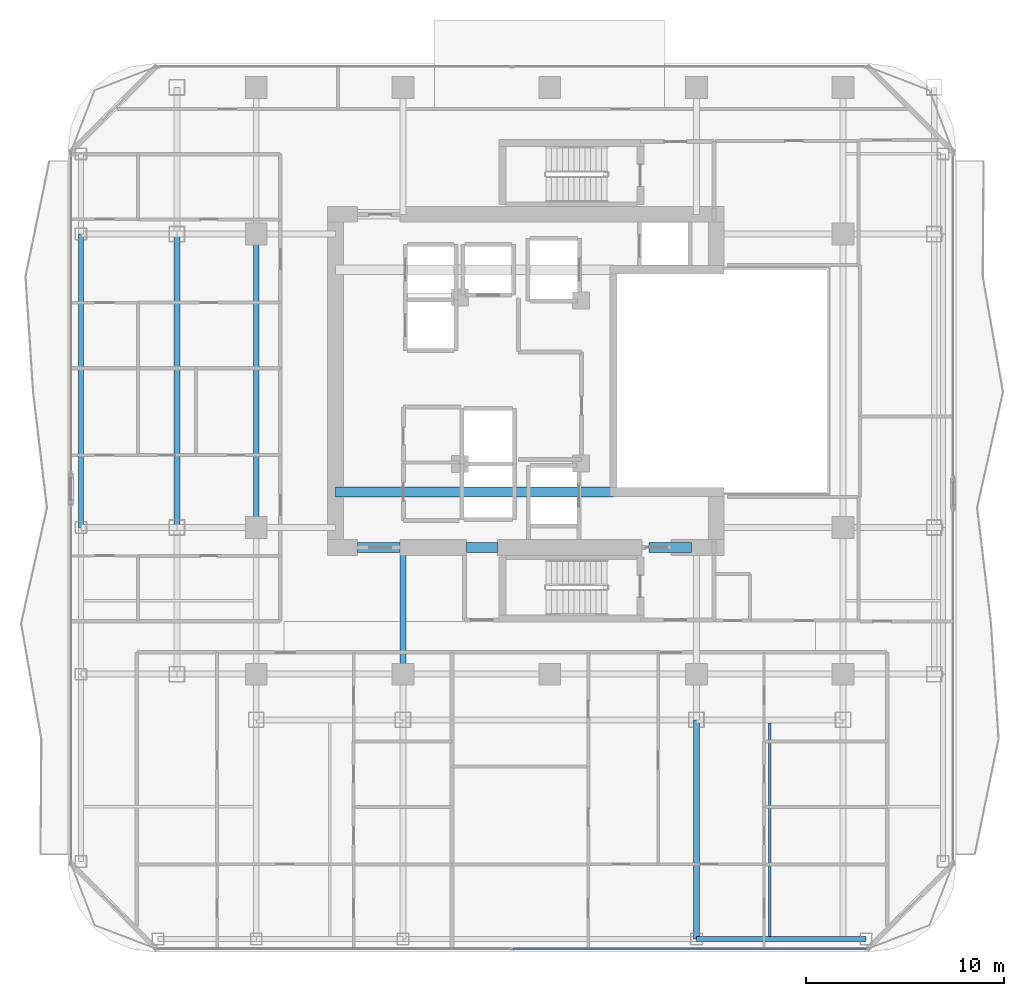
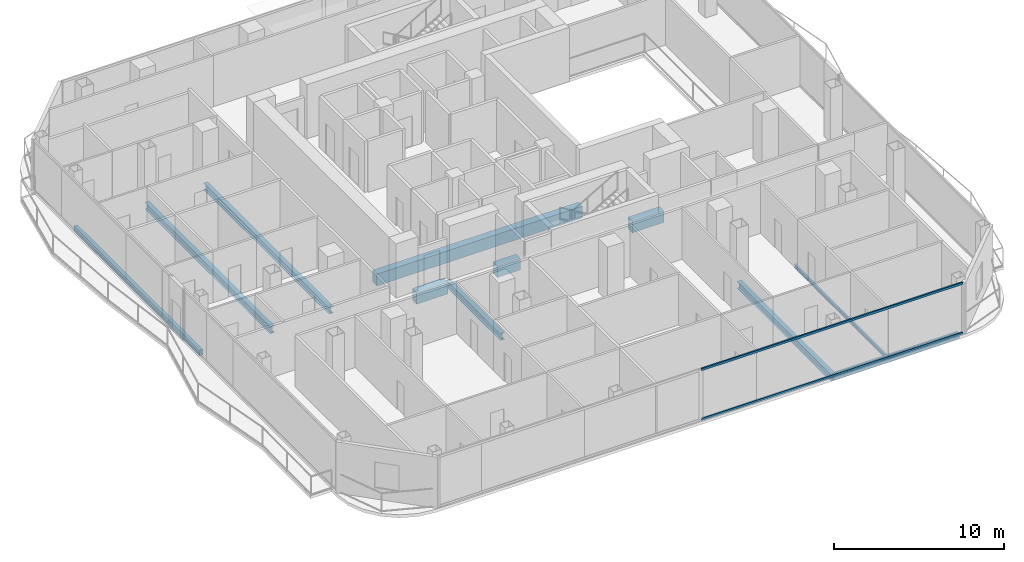
# One storey, part 6 of 23: 11 beams, 2 members, 1 element without a shape of its own.
"""IFC4 building model written with IfcOpenShell, lengths in metres."""

from ifc_helpers import new_model, si_unit, direction, frame, origin, origin_2d, place, context, subcontext, project, spatial, rectangle, hollow_rectangle, i_section, extrude, material, layer, layer_set, material_profile, profile_set, type_object, element, aggregate, save


model = new_model("IFC4")

# Units and contexts
model_context = context("Model", 3, precision=1e-05, world=origin(), true_north=direction((0.0, 1.0)))
body_context = subcontext(model_context, "Body", "Model", "MODEL_VIEW")
ifc_project = project(units=[si_unit("LENGTHUNIT", "METRE"), si_unit("AREAUNIT", "SQUARE_METRE"), si_unit("VOLUMEUNIT", "CUBIC_METRE"), si_unit("PLANEANGLEUNIT", "RADIAN"), si_unit("MASSUNIT", "GRAM", prefix="KILO")], contexts=[model_context])

# Site, building, storey
site_placement = place(None, origin())
site = spatial("IfcSite", under=ifc_project, at=site_placement, CompositionType="ELEMENT")
building_placement = place(site_placement, origin())
building = spatial("IfcBuilding", under=site, at=building_placement, Name="Khorvyn Point Tower", CompositionType="ELEMENT")
storey_placement = place(building_placement, frame((0.0, 0.0, 195.300048828125)))
storey = spatial("IfcBuildingStorey", under=building, at=storey_placement, Name="L48", CompositionType="ELEMENT", Elevation=195.300048828125)

# Curtain wall, members
ifc_material_1 = material(Name="Anodised aluminium 6063-T6 and laminated Low-E glass", Category="aluminium")
ifc_layer = layer(ifc_material_1, 0.18994140625)
ifc_layer_set = layer_set([ifc_layer], Name="Stick-Built Acoustic Curtain Wall CW-SYS-03")
curtain_wall_type = type_object("IfcCurtainWallType", Name="Stick-Built Acoustic Curtain Wall CW-SYS-03", PredefinedType="NOTDEFINED", material=ifc_layer_set)
curtain_wall_placement = place(storey_placement, origin())
curtain_wall = element("IfcCurtainWall", 1, at=curtain_wall_placement, inside=storey, type_object=curtain_wall_type, Name="Curtain Wall", PredefinedType="NOTDEFINED")
ifc_material_2 = material(Name="Anodised aluminium 6063-T6", Category="aluminium")
ifc_material_profile_1 = material_profile(ifc_material_2, hollow_rectangle(XDim=0.10009765625, YDim=0.159912109375, WallThickness=0.00439453125, at=origin_2d()))
ifc_profile_set_1 = profile_set([ifc_material_profile_1], Name="Anodised aluminium 6063-T6 ALU-TRN-100x160")
member_type = type_object("IfcMemberType", Name="Anodised Aluminium 6063-T6 Transom ALU-TRN-100x160", PredefinedType="USERDEFINED", material=ifc_profile_set_1)
member_1_placement = place(storey_placement, frame((15.949951171875, -28.64990234375, 0.050048828125), z_axis=(-1.0, 0.0, 0.0), x_axis=(0.0, -1.0, 0.0)))
member_1 = element("IfcMember", 2, at=member_1_placement, type_object=member_type, Name="Transom", ObjectType="TRANSOM", PredefinedType="USERDEFINED", context=body_context, shape_type="SweptSolid", body=[
    extrude(hollow_rectangle(XDim=0.10009765625, YDim=0.159912109375, WallThickness=0.00439453125, at=origin_2d()), origin(), (0.0, 0.0, 1.0), 17.800048828125),
])
member_2_placement = place(storey_placement, frame((15.949951171875, -28.64990234375, 3.6298828125), z_axis=(-1.0, 0.0, 0.0), x_axis=(0.0, -1.0, 0.0)))
member_2 = element("IfcMember", 3, at=member_2_placement, type_object=member_type, Name="Transom", ObjectType="TRANSOM", PredefinedType="USERDEFINED", context=body_context, shape_type="SweptSolid", body=[
    extrude(hollow_rectangle(XDim=0.10009765625, YDim=0.159912109375, WallThickness=0.00439453125, at=origin_2d()), origin(), (0.0, 0.0, 1.0), 17.800048828125),
])
aggregate(curtain_wall, [member_1, member_2])

# Beams
ifc_material_3 = material(Name="Concrete C45/55", Category="concrete")
ifc_material_profile_2 = material_profile(ifc_material_3, rectangle(XDim=0.5, YDim=0.85009765625, at=origin_2d()))
ifc_profile_set_2 = profile_set([ifc_material_profile_2], Name="Concrete C45/55 RC500x850")
beam_type_1 = type_object("IfcBeamType", Name="Concrete C45/55 Beam RC500x850", PredefinedType="BEAM", material=ifc_profile_set_2)
beam_1_placement = place(storey_placement, frame((-10.800048828125, -5.60009765625, -0.64501953125), z_axis=(1.0, 0.0, 0.0), x_axis=(0.0, 1.0, 0.0)))
element("IfcBeam", 4, at=beam_1_placement, inside=storey, type_object=beam_type_1, Name="L48 Core Internal Tie Girder S", PredefinedType="BEAM", context=body_context, shape_type="SweptSolid", body=[
    extrude(rectangle(XDim=0.5, YDim=0.85009765625, at=origin_2d()), origin(), (0.0, 0.0, 1.0), 14.02001953125),
])
beam_2_placement = place(storey_placement, frame((-9.699951171875, -8.39990234375, -0.64501953125), z_axis=(1.0, 0.0, 0.0), x_axis=(0.0, 1.0, 0.0)))
element("IfcBeam", 5, at=beam_2_placement, inside=storey, type_object=beam_type_1, Name="L48 Core Southwest Portal Coupling Beam", PredefinedType="BEAM", context=body_context, shape_type="SweptSolid", body=[
    extrude(rectangle(XDim=0.5, YDim=0.85009765625, at=origin_2d()), origin(), (0.0, 0.0, 1.0), 2.14990234375),
])
beam_3_placement = place(storey_placement, frame((-4.199951171875, -8.39990234375, -0.64501953125), z_axis=(1.0, 0.0, 0.0), x_axis=(0.0, 1.0, 0.0)))
element("IfcBeam", 6, at=beam_3_placement, inside=storey, type_object=beam_type_1, Name="L48 Core Shuttle Portal Coupling Beam", PredefinedType="BEAM", context=body_context, shape_type="SweptSolid", body=[
    extrude(rectangle(XDim=0.5, YDim=0.85009765625, at=origin_2d()), origin(), (0.0, 0.0, 1.0), 1.579833984375),
])
beam_4_placement = place(storey_placement, frame((5.0, -8.39990234375, -0.64501953125), z_axis=(1.0, 0.0, 0.0), x_axis=(0.0, 1.0, 0.0)))
element("IfcBeam", 7, at=beam_4_placement, inside=storey, type_object=beam_type_1, Name="L48 Core Southeast Portal Coupling Beam", PredefinedType="BEAM", context=body_context, shape_type="SweptSolid", body=[
    extrude(rectangle(XDim=0.5, YDim=0.85009765625, at=origin_2d()), origin(), (0.0, 0.0, 1.0), 2.14990234375),
])
ifc_material_4 = material(Name="Steel S355", Category="steel")
ifc_material_profile_3 = material_profile(ifc_material_4, i_section(OverallWidth=0.125, OverallDepth=0.25, WebThickness=0.006103515625, FlangeThickness=0.009033203125, at=origin_2d()))
ifc_profile_set_3 = profile_set([ifc_material_profile_3], Name="Steel S355 H250x125x6x9")
beam_type_2 = type_object("IfcBeamType", Name="Steel S355 Joist H250x125x6x9", PredefinedType="JOIST", material=ifc_profile_set_3)
beam_5_placement = place(storey_placement, frame((11.10009765625, -28.02490234375, -0.344970703125), z_axis=(0.0, 1.0, 0.0), x_axis=(-1.0, 0.0, 0.0)))
element("IfcBeam", 8, at=beam_5_placement, inside=storey, type_object=beam_type_2, Name="Beam", PredefinedType="JOIST", context=body_context, shape_type="SweptSolid", body=[
    extrude(i_section(OverallWidth=0.125, OverallDepth=0.25, WebThickness=0.006103515625, FlangeThickness=0.009033203125, at=origin_2d()), origin(), (0.0, 0.0, 1.0), 10.77490234375),
])
ifc_material_profile_4 = material_profile(ifc_material_4, i_section(OverallWidth=0.300048828125, OverallDepth=0.488037109375, WebThickness=0.010986328125, FlangeThickness=0.01806640625, at=origin_2d()))
ifc_profile_set_4 = profile_set([ifc_material_profile_4], Name="Steel S355 H488x300x11x18")
beam_type_3 = type_object("IfcBeamType", Name="Steel S355 Spandrel H488x300x11x18", PredefinedType="SPANDREL", material=ifc_profile_set_4)
beam_6_placement = place(storey_placement, frame((-14.800048828125, -7.39990234375, -0.464111328125), z_axis=(0.0, 1.0, 0.0), x_axis=(-1.0, 0.0, 0.0)))
element("IfcBeam", 9, at=beam_6_placement, inside=storey, type_object=beam_type_3, Name="Beam", PredefinedType="SPANDREL", context=body_context, shape_type="SweptSolid", body=[
    extrude(i_section(OverallWidth=0.300048828125, OverallDepth=0.488037109375, WebThickness=0.010986328125, FlangeThickness=0.01806640625, at=origin_2d()), origin(), (0.0, 0.0, 1.0), 14.7998046875),
])
beam_7_placement = place(storey_placement, frame((-7.39990234375, -14.800048828125, -0.464111328125), z_axis=(0.0, 1.0, 0.0), x_axis=(-1.0, 0.0, 0.0)))
element("IfcBeam", 10, at=beam_7_placement, inside=storey, type_object=beam_type_3, Name="Beam", PredefinedType="SPANDREL", context=body_context, shape_type="SweptSolid", body=[
    extrude(i_section(OverallWidth=0.300048828125, OverallDepth=0.488037109375, WebThickness=0.010986328125, FlangeThickness=0.01806640625, at=origin_2d()), origin(), (0.0, 0.0, 1.0), 6.400146484375),
])
beam_8_placement = place(storey_placement, frame((7.39990234375, -28.14990234375, -0.464111328125), z_axis=(0.0, 1.0, 0.0), x_axis=(-1.0, 0.0, 0.0)))
element("IfcBeam", 11, at=beam_8_placement, inside=storey, type_object=beam_type_3, Name="Beam", PredefinedType="SPANDREL", context=body_context, shape_type="SweptSolid", body=[
    extrude(i_section(OverallWidth=0.300048828125, OverallDepth=0.488037109375, WebThickness=0.010986328125, FlangeThickness=0.01806640625, at=origin_2d()), origin(), (0.0, 0.0, 1.0), 11.0498046875),
])
beam_9_placement = place(storey_placement, frame((-18.800048828125, -7.39990234375, -0.464111328125), z_axis=(0.0, 1.0, 0.0), x_axis=(-1.0, 0.0, 0.0)))
element("IfcBeam", 12, at=beam_9_placement, inside=storey, type_object=beam_type_3, Name="Beam", PredefinedType="SPANDREL", context=body_context, shape_type="SweptSolid", body=[
    extrude(i_section(OverallWidth=0.300048828125, OverallDepth=0.488037109375, WebThickness=0.010986328125, FlangeThickness=0.01806640625, at=origin_2d()), origin(), (0.0, 0.0, 1.0), 14.7998046875),
])
ifc_material_profile_5 = material_profile(ifc_material_4, hollow_rectangle(XDim=0.25, YDim=0.39990234375, WallThickness=0.01611328125, at=origin_2d()))
ifc_profile_set_5 = profile_set([ifc_material_profile_5], Name="Steel S355 RHS400x250x16")
beam_type_4 = type_object("IfcBeamType", Name="Steel S355 Spandrel RHS400x250x16", PredefinedType="SPANDREL", material=ifc_profile_set_5)
beam_10_placement = place(storey_placement, frame((7.39990234375, -28.14990234375, -0.420166015625), z_axis=(1.0, 0.0, 0.0), x_axis=(0.0, 1.0, 0.0)))
element("IfcBeam", 13, at=beam_10_placement, inside=storey, type_object=beam_type_4, Name="Beam", PredefinedType="SPANDREL", context=body_context, shape_type="SweptSolid", body=[
    extrude(hollow_rectangle(XDim=0.25, YDim=0.39990234375, WallThickness=0.01611328125, at=origin_2d()), origin(), (0.0, 0.0, 1.0), 8.550048828125),
])
beam_11_placement = place(storey_placement, frame((-23.64990234375, -7.39990234375, -0.420166015625), z_axis=(0.0, 1.0, 0.0), x_axis=(-1.0, 0.0, 0.0)))
element("IfcBeam", 14, at=beam_11_placement, inside=storey, type_object=beam_type_4, Name="Beam", PredefinedType="SPANDREL", context=body_context, shape_type="SweptSolid", body=[
    extrude(hollow_rectangle(XDim=0.25, YDim=0.39990234375, WallThickness=0.01611328125, at=origin_2d()), origin(), (0.0, 0.0, 1.0), 14.7998046875),
])

save(model, "model.ifc")
